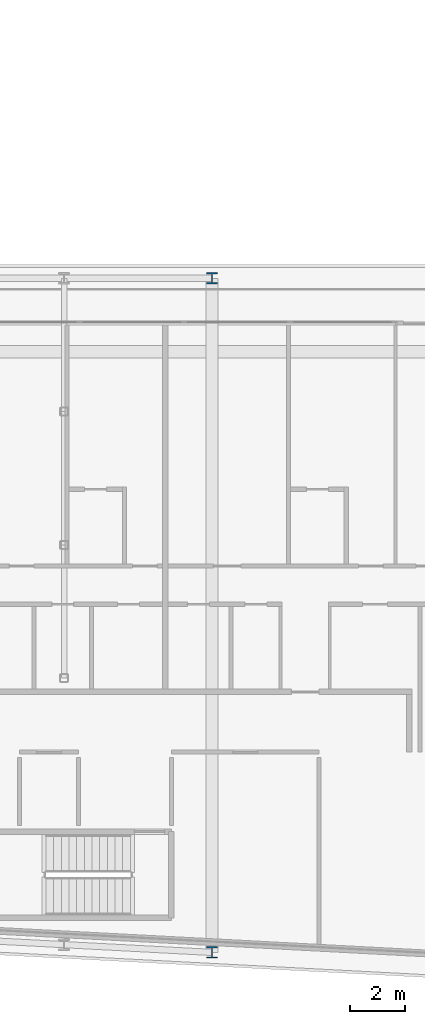
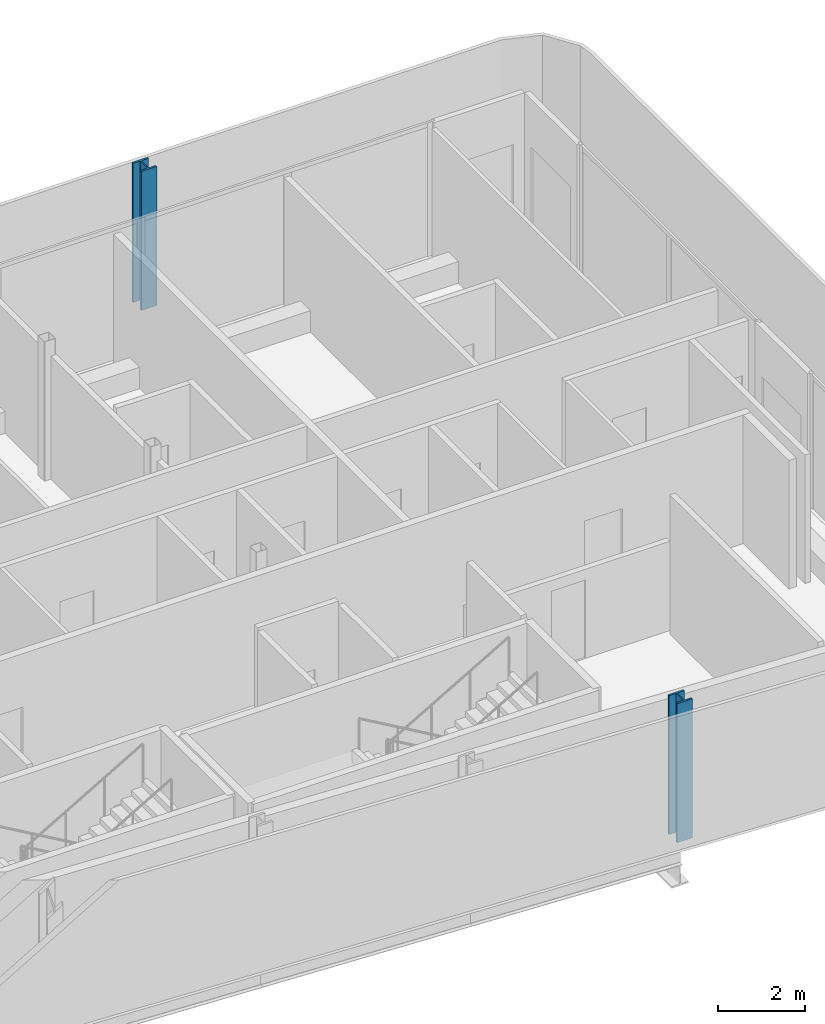
# One storey, part 4 of 30: 2 columns.
"""IFC4 building model written with IfcOpenShell, lengths in metres."""

from ifc_helpers import new_model, si_unit, direction, frame, origin, origin_2d, place, context, subcontext, project, spatial, i_section, extrude, material, material_profile, profile_set, type_object, element, save


model = new_model("IFC4")

# Units and contexts
model_context = context("Model", 3, precision=1e-05, world=origin(), true_north=direction((0.0, 1.0)))
body_context = subcontext(model_context, "Body", "Model", "MODEL_VIEW")
ifc_project = project(units=[si_unit("LENGTHUNIT", "METRE"), si_unit("AREAUNIT", "SQUARE_METRE"), si_unit("VOLUMEUNIT", "CUBIC_METRE"), si_unit("PLANEANGLEUNIT", "RADIAN"), si_unit("MASSUNIT", "GRAM", prefix="KILO")], contexts=[model_context])

# Site, building, storey
site_placement = place(None, origin())
site = spatial("IfcSite", under=ifc_project, at=site_placement, CompositionType="ELEMENT")
building_placement = place(site_placement, origin())
building = spatial("IfcBuilding", under=site, at=building_placement, Name="Kheshtan School and Residences Tower", CompositionType="ELEMENT")
storey_placement = place(building_placement, frame((0.0, 0.0, 199.39990234375)))
storey = spatial("IfcBuildingStorey", under=building, at=storey_placement, Name="L47", CompositionType="ELEMENT", Elevation=199.39990234375)

# Columns
ifc_material = material(Name="Steel ASTM A992 Grade 50", Category="steel")
ifc_material_profile = material_profile(ifc_material, i_section(OverallWidth=0.408935546875, OverallDepth=0.425048828125, WebThickness=0.03271484375, FlangeThickness=0.052490234375, FilletRadius=0.0126953125, at=origin_2d()), Name="W360x421")
ifc_profile_set = profile_set([ifc_material_profile], Name="Steel ASTM A992 Grade 50")
column_type = type_object("IfcColumnType", Name="Column C3 W360x421 ASTM A992 Grade 50", PredefinedType="COLUMN", material=ifc_profile_set)
for number, where, z_axis, x_axis, name in (
    (1, (90.800048828125, 20.989990234375, 0.0), (0.0, 0.0, 1.0), (1.0, 0.0, 0.0), "Column C006"),
    (2, (90.800048828125, 45.60009765625, 0.0), (0.0, 0.0, 1.0), (1.0, 0.0, 0.0), "Column C068"),
):
    element("IfcColumn", number, at=place(storey_placement, frame(where, z_axis=z_axis, x_axis=x_axis)), inside=storey, type_object=column_type, Name=name, PredefinedType="COLUMN", context=body_context, shape_type="SweptSolid", body=[
        extrude(i_section(OverallWidth=0.408935546875, OverallDepth=0.425048828125, WebThickness=0.03271484375, FlangeThickness=0.052490234375, FilletRadius=0.0126953125, at=origin_2d()), origin(), (0.0, 0.0, 1.0), 3.900146484375),
    ])

save(model, "model.ifc")
